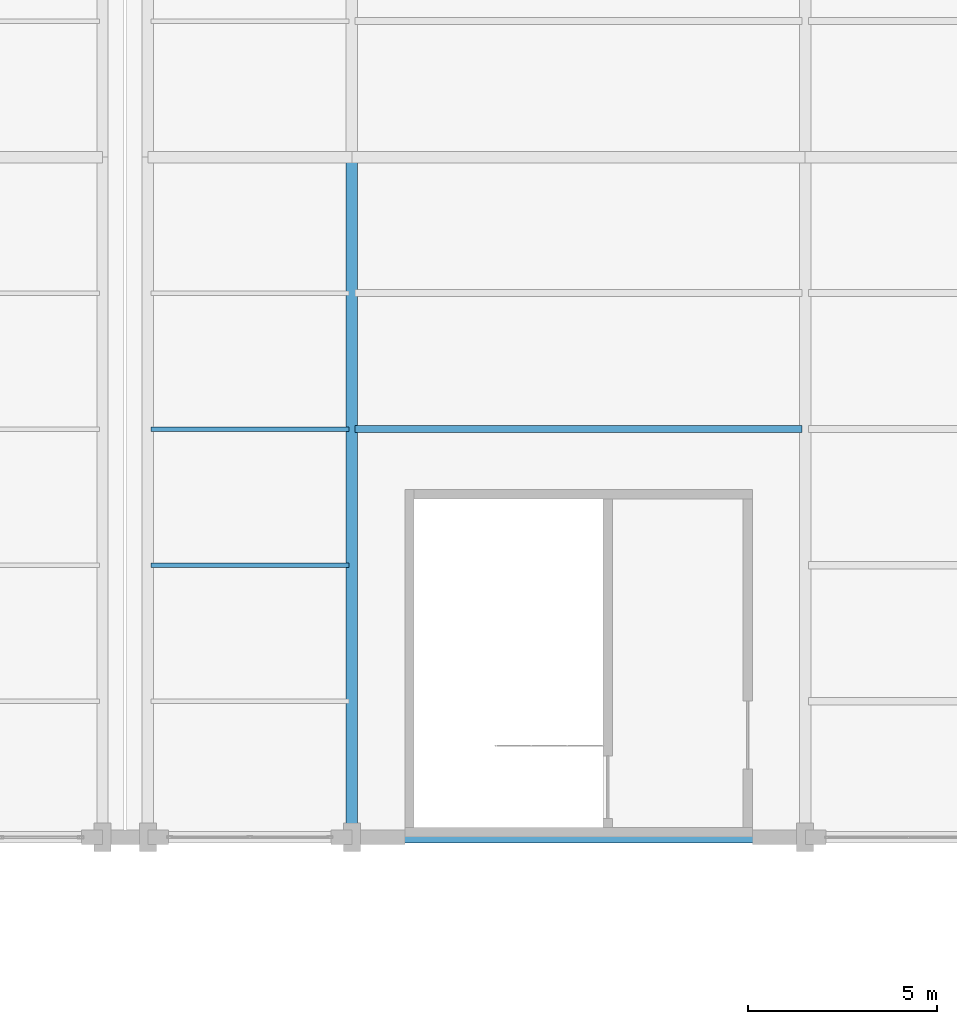
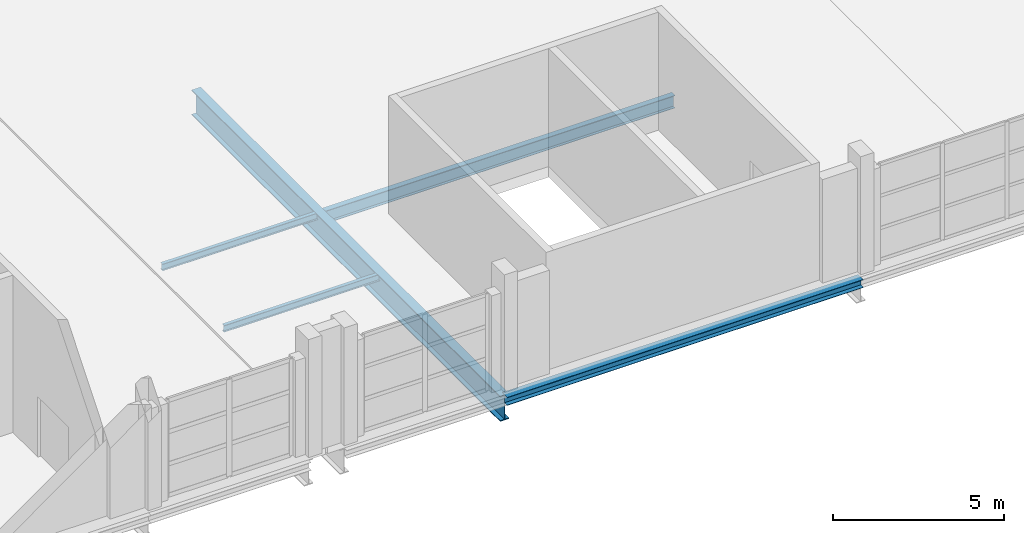
# One storey, part 90 of 147: 5 beams.
"""IFC4 building model written with IfcOpenShell, lengths in metres."""

from ifc_helpers import new_model, si_unit, direction, frame, origin, origin_2d, place, context, subcontext, project, spatial, i_section, extrude, material, material_profile, profile_set, type_object, element, save


model = new_model("IFC4")

# Units and contexts
model_context = context("Model", 3, precision=1e-05, world=origin(), true_north=direction((0.0, 1.0)))
body_context = subcontext(model_context, "Body", "Model", "MODEL_VIEW")
ifc_project = project(units=[si_unit("LENGTHUNIT", "METRE"), si_unit("AREAUNIT", "SQUARE_METRE"), si_unit("VOLUMEUNIT", "CUBIC_METRE"), si_unit("PLANEANGLEUNIT", "RADIAN"), si_unit("MASSUNIT", "GRAM", prefix="KILO")], contexts=[model_context])

# Site, building, storey
site_placement = place(None, origin())
site = spatial("IfcSite", under=ifc_project, at=site_placement, CompositionType="ELEMENT")
building_placement = place(site_placement, origin())
building = spatial("IfcBuilding", under=site, at=building_placement, Name="Zilviju Railside Exhibition Hall", CompositionType="ELEMENT")
storey_placement = place(building_placement, frame((0.0, 0.0, 8.39990234375)))
storey = spatial("IfcBuildingStorey", under=building, at=storey_placement, Name="L03", CompositionType="ELEMENT", Elevation=8.39990234375)

# Beams
ifc_material = material(Name="Steel S355J2", Category="steel")
ifc_material_profile_1 = material_profile(ifc_material, i_section(OverallWidth=0.300048828125, OverallDepth=0.2900390625, WebThickness=0.008544921875, FlangeThickness=0.013916015625, at=origin_2d()), Name="HEA 300")
ifc_profile_set_1 = profile_set([ifc_material_profile_1], Name="Steel S355J2")
beam_type_1 = type_object("IfcBeamType", Name="BM-HEA300", PredefinedType="SPANDREL", material=ifc_profile_set_1)
beam_1_placement = place(storey_placement, frame((132.0, 84.0, -0.52490234375), z_axis=(1.0, 0.0, 0.0), x_axis=(0.0, 1.0, 0.0)))
element("IfcBeam", 1, at=beam_1_placement, inside=storey, type_object=beam_type_1, Name="Primary Girder L03 Y=84.0 (132.0..144.0)", PredefinedType="SPANDREL", context=body_context, shape_type="SweptSolid", body=[
    extrude(i_section(OverallWidth=0.300048828125, OverallDepth=0.2900390625, WebThickness=0.008544921875, FlangeThickness=0.013916015625, at=origin_2d()), origin(), (0.0, 0.0, 1.0), 12.0),
])
ifc_material_profile_2 = material_profile(ifc_material, i_section(OverallWidth=0.300048828125, OverallDepth=0.89990234375, WebThickness=0.0185546875, FlangeThickness=0.034912109375, at=origin_2d()), Name="HEB 900")
ifc_profile_set_2 = profile_set([ifc_material_profile_2], Name="Steel S355J2")
beam_type_2 = type_object("IfcBeamType", Name="BM-HEB900", PredefinedType="BEAM", material=ifc_profile_set_2)
beam_2_placement = place(storey_placement, frame((132.0, 84.0, -0.829833984375), z_axis=(0.0, 1.0, 0.0), x_axis=(-1.0, 0.0, 0.0)))
element("IfcBeam", 2, at=beam_2_placement, inside=storey, type_object=beam_type_2, Name="Transverse Girder L03 X=132.0 (84.0..102.0)", PredefinedType="BEAM", context=body_context, shape_type="SweptSolid", body=[
    extrude(i_section(OverallWidth=0.300048828125, OverallDepth=0.89990234375, WebThickness=0.0185546875, FlangeThickness=0.034912109375, at=origin_2d()), origin(), (0.0, 0.0, 1.0), 18.0),
])
ifc_material_profile_3 = material_profile(ifc_material, i_section(OverallWidth=0.1201171875, OverallDepth=0.239990234375, WebThickness=0.006103515625, FlangeThickness=0.009765625, at=origin_2d()), Name="IPE 240")
ifc_profile_set_3 = profile_set([ifc_material_profile_3], Name="Steel S355J2")
beam_type_3 = type_object("IfcBeamType", Name="BM-IPE240", PredefinedType="JOIST", material=ifc_profile_set_3)
for number, where, z_axis, x_axis, name in (
    (3, (126.679931640625, 91.199951171875, -0.5), (1.0, 0.0, 0.0), (0.0, 1.0, 0.0), "Composite Floor Joist L03 Y=91.20 (126.6..132.0)"),
    (4, (126.679931640625, 94.800048828125, -0.5), (1.0, 0.0, 0.0), (0.0, 1.0, 0.0), "Composite Floor Joist L03 Y=94.80 (126.6..132.0)"),
):
    element("IfcBeam", number, at=place(storey_placement, frame(where, z_axis=z_axis, x_axis=x_axis)), inside=storey, type_object=beam_type_3, Name=name, PredefinedType="JOIST", context=body_context, shape_type="SweptSolid", body=[
        extrude(i_section(OverallWidth=0.1201171875, OverallDepth=0.239990234375, WebThickness=0.006103515625, FlangeThickness=0.009765625, at=origin_2d()), origin(), (0.0, 0.0, 1.0), 5.239990234375),
    ])
ifc_material_profile_4 = material_profile(ifc_material, i_section(OverallWidth=0.18994140625, OverallDepth=0.449951171875, WebThickness=0.009521484375, FlangeThickness=0.0146484375, at=origin_2d()), Name="IPE 450")
ifc_profile_set_4 = profile_set([ifc_material_profile_4], Name="Steel S355J2")
beam_type_4 = type_object("IfcBeamType", Name="BM-IPE450", PredefinedType="JOIST", material=ifc_profile_set_4)
beam_3_placement = place(storey_placement, frame((132.080078125, 94.800048828125, -0.60498046875), z_axis=(1.0, 0.0, 0.0), x_axis=(0.0, 1.0, 0.0)))
element("IfcBeam", 5, at=beam_3_placement, inside=storey, type_object=beam_type_4, Name="Composite Floor Joist L03 Y=94.80 (132.0..144.0)", PredefinedType="JOIST", context=body_context, shape_type="SweptSolid", body=[
    extrude(i_section(OverallWidth=0.18994140625, OverallDepth=0.449951171875, WebThickness=0.009521484375, FlangeThickness=0.0146484375, at=origin_2d()), origin(), (0.0, 0.0, 1.0), 11.83984375),
])

save(model, "model.ifc")
